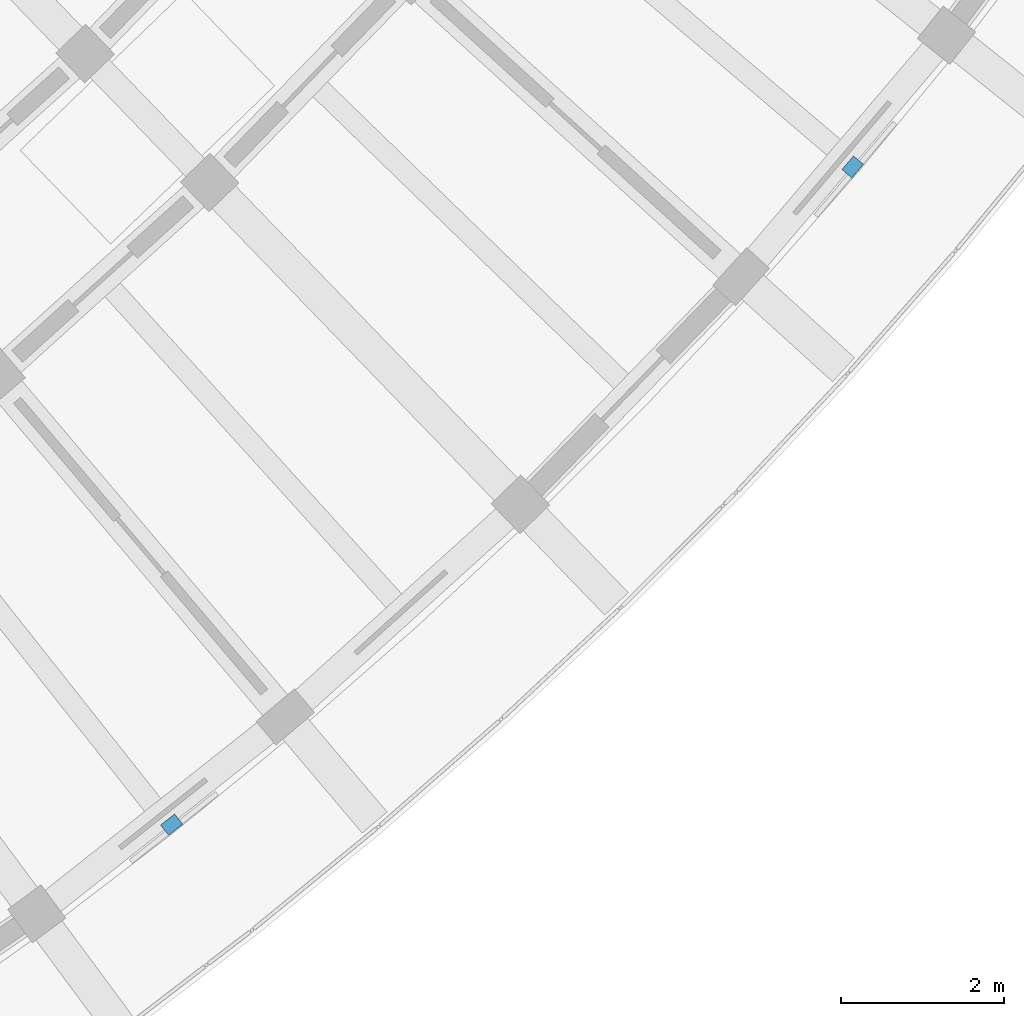
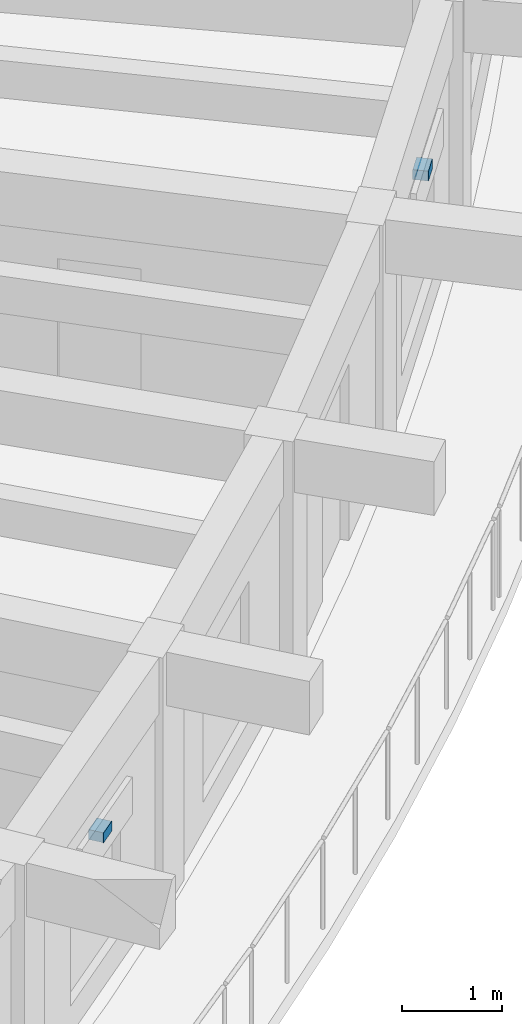
# One storey, part 62 of 83: 2 discrete accessories.
"""IFC4 building model written with IfcOpenShell, lengths in metres."""

from ifc_helpers import new_model, si_unit, direction, frame, origin, origin_2d, place, context, subcontext, project, spatial, rectangle, extrude, material, type_object, element, save


model = new_model("IFC4")

# Units and contexts
model_context = context("Model", 3, precision=1e-05, world=origin(), true_north=direction((0.0, 1.0)))
body_context = subcontext(model_context, "Body", "Model", "MODEL_VIEW")
ifc_project = project(units=[si_unit("LENGTHUNIT", "METRE"), si_unit("AREAUNIT", "SQUARE_METRE"), si_unit("VOLUMEUNIT", "CUBIC_METRE"), si_unit("PLANEANGLEUNIT", "RADIAN"), si_unit("MASSUNIT", "GRAM", prefix="KILO")], contexts=[model_context])

# Site, building, storey
site_placement = place(None, origin())
site = spatial("IfcSite", under=ifc_project, at=site_placement, CompositionType="ELEMENT")
building_placement = place(site_placement, origin())
building = spatial("IfcBuilding", under=site, at=building_placement, Name="Tanwirah Colonnade Gardens", CompositionType="ELEMENT")
storey_placement = place(building_placement, frame((0.0, 0.0, 25.639892578125)))
storey = spatial("IfcBuildingStorey", under=building, at=storey_placement, Name="L07", CompositionType="ELEMENT", Elevation=25.639892578125)

# Discrete accessories
ifc_material = material(Name="Steel S355", Category="steel")
discrete_accessory_type = type_object("IfcDiscreteAccessoryType", Name="BRK-SS1", PredefinedType="BRACKET", material=ifc_material)
for number, where, z_axis, x_axis, name in (
    (1, (158.080322265625, 17.726806640625, 2.0), (0.0, 0.0, 1.0), (0.783964750381, 0.62080533999, 0.0), "Solar screen support bracket D-L07-06"),
    (2, (166.45068359375, 25.81005859375, 2.199951171875), (0.0, 0.0, 1.0), (0.647787024286, 0.761821482479, 0.0), "Solar screen support bracket D-L07-09"),
):
    element("IfcDiscreteAccessory", number, at=place(storey_placement, frame(where, z_axis=z_axis, x_axis=x_axis)), inside=storey, type_object=discrete_accessory_type, Name=name, PredefinedType="BRACKET", context=body_context, shape_type="SweptSolid", body=[
        extrude(rectangle(XDim=0.219970703125, YDim=0.159912109375, at=origin_2d()), origin(), (0.0, 0.0, 1.0), 0.1201171875),
    ])

save(model, "model.ifc")
